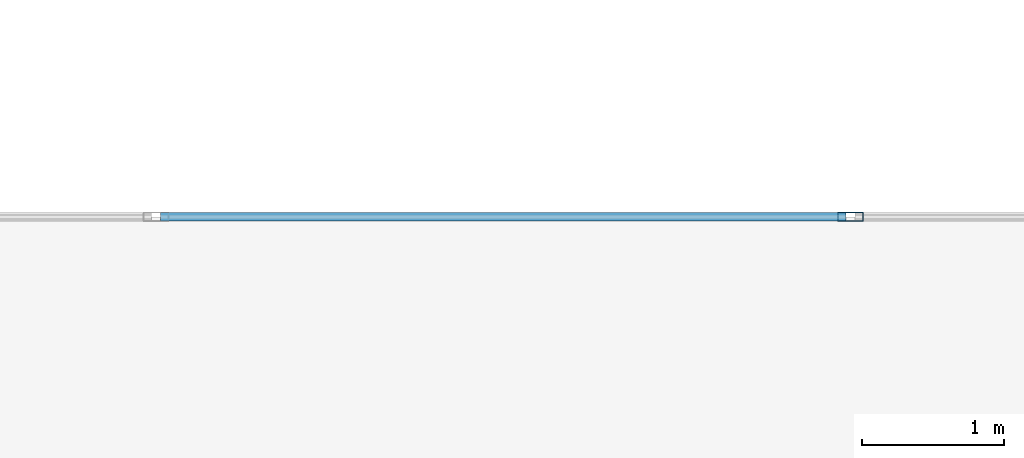
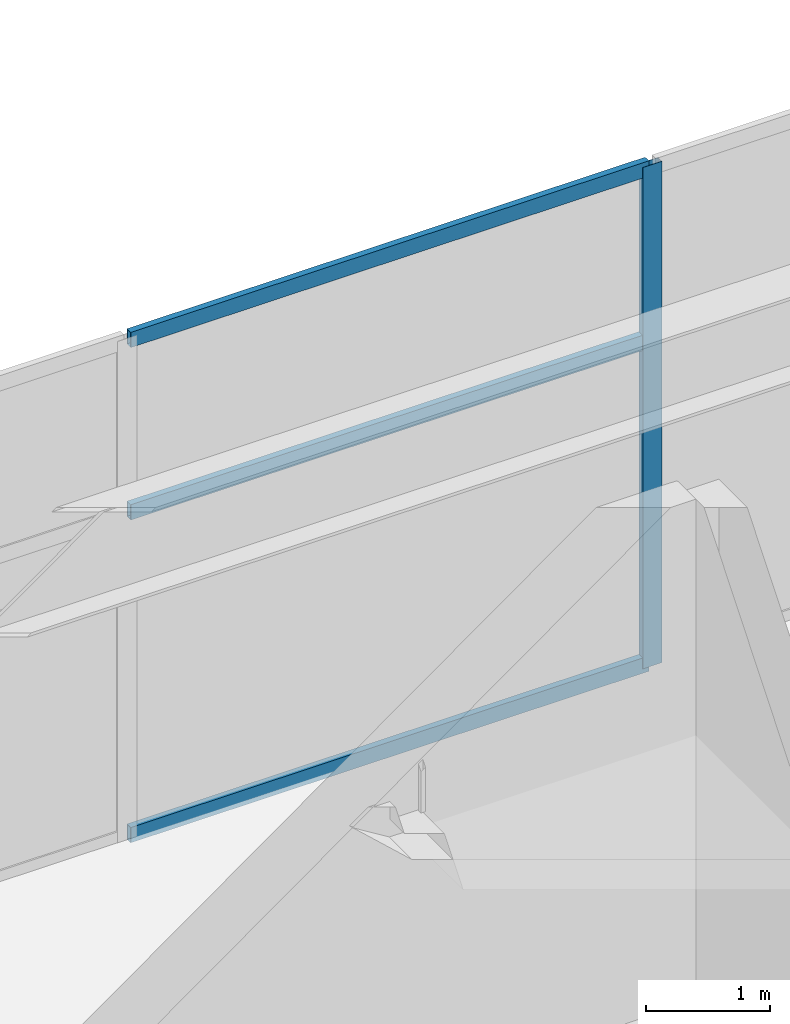
# One storey, part 9 of 22: 4 members, 1 element without a shape of its own.
"""IFC4 building model written with IfcOpenShell, lengths in metres."""

from ifc_helpers import new_model, si_unit, direction, frame, origin, origin_2d, place, context, subcontext, project, spatial, hollow_rectangle, extrude, material, layer, layer_set, material_profile, profile_set, type_object, element, aggregate, save


model = new_model("IFC4")

# Units and contexts
model_context = context("Model", 3, precision=1e-05, world=origin(), true_north=direction((0.0, 1.0)))
body_context = subcontext(model_context, "Body", "Model", "MODEL_VIEW")
ifc_project = project(units=[si_unit("LENGTHUNIT", "METRE"), si_unit("AREAUNIT", "SQUARE_METRE"), si_unit("VOLUMEUNIT", "CUBIC_METRE"), si_unit("PLANEANGLEUNIT", "RADIAN"), si_unit("MASSUNIT", "GRAM", prefix="KILO")], contexts=[model_context])

# Site, building, storey
site_placement = place(None, origin())
site = spatial("IfcSite", under=ifc_project, at=site_placement, CompositionType="ELEMENT")
building_placement = place(site_placement, origin())
building = spatial("IfcBuilding", under=site, at=building_placement, Name="Mawjaban Terraces University", CompositionType="ELEMENT")
storey_placement = place(building_placement, frame((0.0, 0.0, 10.39990234375)))
storey = spatial("IfcBuildingStorey", under=building, at=storey_placement, Name="L02", CompositionType="ELEMENT", Elevation=10.39990234375)

# Curtain wall, members
ifc_material_1 = material(Name="Anodised aluminium 6063-T6 and solar-control low-E glass", Category="aluminium")
ifc_layer = layer(ifc_material_1, 0.179931640625)
ifc_layer_set = layer_set([ifc_layer], Name="Anodised aluminium 6063-T6 and solar-control low-E glass")
curtain_wall_type = type_object("IfcCurtainWallType", Name="CWSystem_01_PlazaFoyer", PredefinedType="NOTDEFINED", material=ifc_layer_set)
curtain_wall_placement = place(storey_placement, origin())
curtain_wall = element("IfcCurtainWall", 1, at=curtain_wall_placement, inside=storey, type_object=curtain_wall_type, Name="L02 Curtain Wall CW-01 Run 5.1", PredefinedType="NOTDEFINED")
ifc_material_2 = material(Name="Anodised aluminium 6063-T6", Category="aluminium")
ifc_material_profile_1 = material_profile(ifc_material_2, hollow_rectangle(XDim=0.06494140625, YDim=0.179931640625, WallThickness=0.00390625, at=origin_2d()), Name="ALU180X65X4")
ifc_profile_set_1 = profile_set([ifc_material_profile_1], Name="Anodised aluminium 6063-T6")
member_type_1 = type_object("IfcMemberType", Name="Mullion_CW-01", PredefinedType="MULLION", material=ifc_profile_set_1)
member_1_placement = place(storey_placement, frame((68.625, 32.0, 0.0), z_axis=(0.0, 0.0, 1.0), x_axis=(0.0, -1.0, 0.0)))
member_1 = element("IfcMember", 2, at=member_1_placement, type_object=member_type_1, Name="CW-01 mullion 2", PredefinedType="MULLION", context=body_context, shape_type="SweptSolid", body=[
    extrude(hollow_rectangle(XDim=0.06494140625, YDim=0.179931640625, WallThickness=0.00390625, at=origin_2d()), origin(), (0.0, 0.0, 1.0), 4.920166015625),
])
ifc_material_profile_2 = material_profile(ifc_material_2, hollow_rectangle(XDim=0.06005859375, YDim=0.14990234375, WallThickness=0.00390625, at=origin_2d()), Name="ALU150X60X4")
ifc_profile_set_2 = profile_set([ifc_material_profile_2], Name="Anodised aluminium 6063-T6")
member_type_2 = type_object("IfcMemberType", Name="Transom_CW-01", PredefinedType="NOTDEFINED", material=ifc_profile_set_2)
member_2_placement = place(storey_placement, frame((68.592529296875, 32.0, 0.030029296875), z_axis=(-1.0, 0.0, 0.0), x_axis=(0.0, -1.0, 0.0)))
member_2 = element("IfcMember", 3, at=member_2_placement, type_object=member_type_2, Name="CW-01 transom 2.1", ObjectType="TRANSOM", PredefinedType="USERDEFINED", context=body_context, shape_type="SweptSolid", body=[
    extrude(hollow_rectangle(XDim=0.06005859375, YDim=0.14990234375, WallThickness=0.00390625, at=origin_2d()), origin(), (0.0, 0.0, 1.0), 4.81005859375),
])
member_3_placement = place(storey_placement, frame((68.592529296875, 32.0, 3.197998046875), z_axis=(-1.0, 0.0, 0.0), x_axis=(0.0, -1.0, 0.0)))
member_3 = element("IfcMember", 4, at=member_3_placement, type_object=member_type_2, Name="CW-01 transom 2.2", ObjectType="TRANSOM", PredefinedType="USERDEFINED", context=body_context, shape_type="SweptSolid", body=[
    extrude(hollow_rectangle(XDim=0.06005859375, YDim=0.14990234375, WallThickness=0.00390625, at=origin_2d()), origin(), (0.0, 0.0, 1.0), 4.81005859375),
])
member_4_placement = place(storey_placement, frame((68.592529296875, 32.0, 4.89013671875), z_axis=(-1.0, 0.0, 0.0), x_axis=(0.0, -1.0, 0.0)))
member_4 = element("IfcMember", 5, at=member_4_placement, type_object=member_type_2, Name="CW-01 transom 2.3", ObjectType="TRANSOM", PredefinedType="USERDEFINED", context=body_context, shape_type="SweptSolid", body=[
    extrude(hollow_rectangle(XDim=0.06005859375, YDim=0.14990234375, WallThickness=0.00390625, at=origin_2d()), origin(), (0.0, 0.0, 1.0), 4.81005859375),
])
aggregate(curtain_wall, [member_1, member_2, member_3, member_4])

save(model, "model.ifc")
